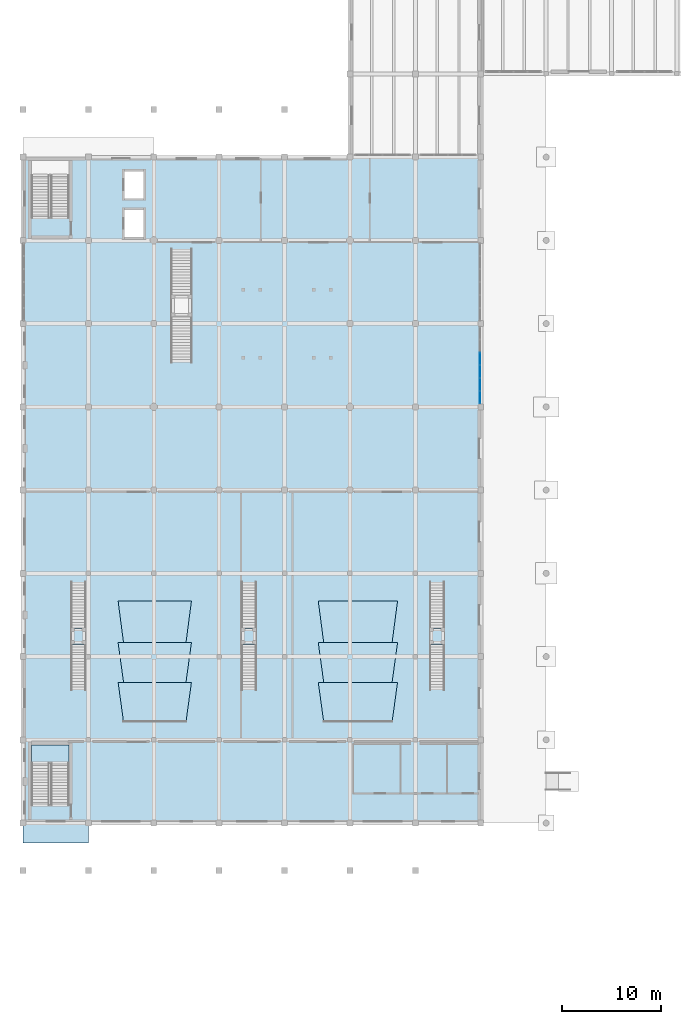
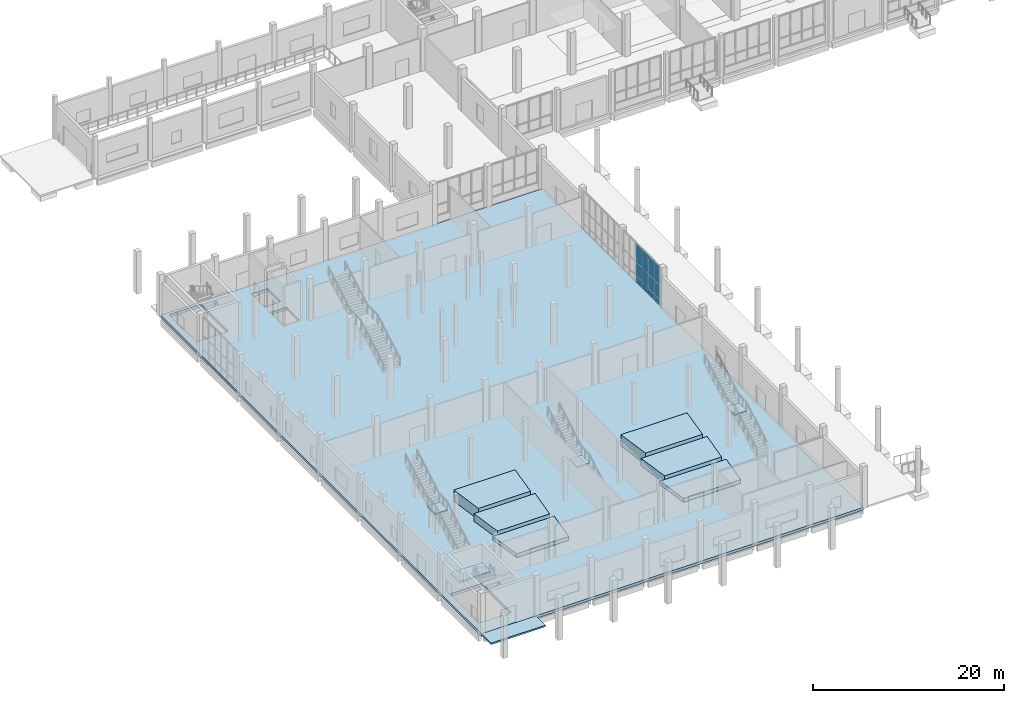
# One storey, part 28 of 64: 12 plates, 12 slabs, 5 elements without a shape of their own.
"""IFC4 building model written with IfcOpenShell, lengths in metres."""

from ifc_helpers import new_model, si_unit, direction, frame, origin, origin_2d, place, context, subcontext, project, spatial, polyline, rectangle, outline, extrude, material, layer, layer_set, type_object, element, aggregate, save


model = new_model("IFC4")

# Units and contexts
model_context = context("Model", 3, precision=1e-05, world=origin(), true_north=direction((0.0, 1.0)))
body_context = subcontext(model_context, "Body", "Model", "MODEL_VIEW")
ifc_project = project(units=[si_unit("LENGTHUNIT", "METRE"), si_unit("AREAUNIT", "SQUARE_METRE"), si_unit("VOLUMEUNIT", "CUBIC_METRE"), si_unit("PLANEANGLEUNIT", "RADIAN"), si_unit("MASSUNIT", "GRAM", prefix="KILO")], contexts=[model_context])

# Site, building, storey
site_placement = place(None, origin())
site = spatial("IfcSite", under=ifc_project, at=site_placement, CompositionType="ELEMENT")
building_placement = place(site_placement, origin())
building = spatial("IfcBuilding", under=site, at=building_placement, Name="Qaldarim Faculty of Natural and Applied Sciences", CompositionType="ELEMENT")
storey_placement = place(building_placement, origin())
storey = spatial("IfcBuildingStorey", under=building, at=storey_placement, Name="L00", CompositionType="ELEMENT", Elevation=0.0)

# Slabs
ifc_material_1 = material(Name="Concrete C40/50", Category="concrete")
ifc_layer_1 = layer(ifc_material_1, 0.199951171875)
ifc_layer_set_1 = layer_set([ifc_layer_1], Name="Concrete C40/50")
slab_type_1 = type_object("IfcSlabType", Name="ColonnadeDeckSlab-200", PredefinedType="FLOOR", material=ifc_layer_set_1)
slab_1_placement = place(storey_placement, frame((0.0, 0.0, -0.199951171875)))
element("IfcSlab", 1, at=slab_1_placement, inside=storey, type_object=slab_type_1, Name="South-west stair discharge apron L00", PredefinedType="FLOOR", context=body_context, shape_type="SweptSolid", body=[
    extrude(outline(polyline([(6.60009765625, 14.800048828125), (0.0, 14.800048828125), (0.0, 16.800048828125), (6.60009765625, 16.800048828125), (6.60009765625, 14.800048828125)])), origin(), (0.0, 0.0, 1.0), 0.199951171875),
])
ifc_layer_2 = layer(ifc_material_1, 0.360107421875)
ifc_layer_set_2 = layer_set([ifc_layer_2], Name="Concrete C40/50")
slab_type_2 = type_object("IfcSlabType", Name="GroundFloorSlab-360", PredefinedType="FLOOR", material=ifc_layer_set_2)
slab_2_placement = place(storey_placement, frame((0.0, 0.0, -0.360107421875)))
element("IfcSlab", 2, at=slab_2_placement, inside=storey, type_object=slab_type_2, Name="Floor slab L00 WEST", PredefinedType="FLOOR", context=body_context, shape_type="SweptSolid", body=[
    extrude(outline(polyline([(0.0, 16.800048828125), (0.0, 84.0), (46.199951171875, 84.0), (46.199951171875, 16.800048828125), (0.0, 16.800048828125)]), holes=[polyline([(4.64990234375, 18.614990234375), (4.64990234375, 24.72509765625), (0.85009765625, 24.72509765625), (0.85009765625, 18.614990234375), (4.64990234375, 18.614990234375)]), polyline([(4.64990234375, 77.9150390625), (4.64990234375, 83.6201171875), (0.85009765625, 83.6201171875), (0.85009765625, 77.9150390625), (4.64990234375, 77.9150390625)]), polyline([(10.25, 75.949951171875), (12.14990234375, 75.949951171875), (12.14990234375, 78.64990234375), (10.25, 78.64990234375), (10.25, 75.949951171875)]), polyline([(10.25, 79.85009765625), (12.14990234375, 79.85009765625), (12.14990234375, 82.550048828125), (10.25, 82.550048828125), (10.25, 79.85009765625)])]), origin(), (0.0, 0.0, 1.0), 0.360107421875),
])
ifc_layer_3 = layer(ifc_material_1, 0.239990234375)
ifc_layer_set_3 = layer_set([ifc_layer_3], Name="Concrete C40/50")
slab_type_3 = type_object("IfcSlabType", Name="LectureSeatingTier-240", PredefinedType="USERDEFINED", material=ifc_layer_set_3)
slab_3_placement = place(storey_placement, origin())
element("IfcSlab", 3, at=slab_3_placement, inside=storey, type_object=slab_type_3, Name="Stand lecture theatre 1 lower seating tier 1 vomitory platform", ObjectType="SEATING TIER", PredefinedType="USERDEFINED", context=body_context, shape_type="SweptSolid", body=[
    extrude(outline(polyline([(10.14990234375, 27.0), (16.449951171875, 27.0), (17.0, 31.0), (9.60009765625, 31.0), (10.14990234375, 27.0)])), origin(), (0.0, 0.0, 1.0), 0.47998046875),
])
slab_4_placement = place(storey_placement, origin())
element("IfcSlab", 4, at=slab_4_placement, inside=storey, type_object=slab_type_3, Name="Stand lecture theatre 1 lower seating tier 2 vomitory platform", ObjectType="SEATING TIER", PredefinedType="USERDEFINED", context=body_context, shape_type="SweptSolid", body=[
    extrude(outline(polyline([(10.14990234375, 31.0), (16.449951171875, 31.0), (17.0, 35.0), (9.60009765625, 35.0), (10.14990234375, 31.0)])), origin(), (0.0, 0.0, 1.0), 0.9599609375),
])
slab_5_placement = place(storey_placement, origin())
element("IfcSlab", 5, at=slab_5_placement, inside=storey, type_object=slab_type_3, Name="Stand lecture theatre 1 lower seating tier 3 vomitory platform", ObjectType="SEATING TIER", PredefinedType="USERDEFINED", context=body_context, shape_type="SweptSolid", body=[
    extrude(outline(polyline([(10.14990234375, 35.0), (16.449951171875, 35.0), (17.0, 39.199951171875), (9.60009765625, 39.199951171875), (10.14990234375, 35.0)])), origin(), (0.0, 0.0, 1.0), 1.43994140625),
])
slab_6_placement = place(storey_placement, origin())
element("IfcSlab", 6, at=slab_6_placement, inside=storey, type_object=slab_type_3, Name="Stand lecture theatre 2 lower seating tier 1 vomitory platform", ObjectType="SEATING TIER", PredefinedType="USERDEFINED", context=body_context, shape_type="SweptSolid", body=[
    extrude(outline(polyline([(30.35009765625, 27.0), (37.25, 27.0), (37.800048828125, 31.0), (29.800048828125, 31.0), (30.35009765625, 27.0)])), origin(), (0.0, 0.0, 1.0), 0.47998046875),
])
slab_7_placement = place(storey_placement, origin())
element("IfcSlab", 7, at=slab_7_placement, inside=storey, type_object=slab_type_3, Name="Stand lecture theatre 2 lower seating tier 2 vomitory platform", ObjectType="SEATING TIER", PredefinedType="USERDEFINED", context=body_context, shape_type="SweptSolid", body=[
    extrude(outline(polyline([(30.35009765625, 31.0), (37.25, 31.0), (37.800048828125, 35.0), (29.800048828125, 35.0), (30.35009765625, 31.0)])), origin(), (0.0, 0.0, 1.0), 0.9599609375),
])
slab_8_placement = place(storey_placement, origin())
element("IfcSlab", 8, at=slab_8_placement, inside=storey, type_object=slab_type_3, Name="Stand lecture theatre 2 lower seating tier 3 vomitory platform", ObjectType="SEATING TIER", PredefinedType="USERDEFINED", context=body_context, shape_type="SweptSolid", body=[
    extrude(outline(polyline([(30.35009765625, 35.0), (37.25, 35.0), (37.800048828125, 39.199951171875), (29.800048828125, 39.199951171875), (30.35009765625, 35.0)])), origin(), (0.0, 0.0, 1.0), 1.43994140625),
])

# Stair, slab
stair_type_1 = type_object("IfcStairType", Name="DoglegStair-W1800-H5400-32R", PredefinedType="HALF_TURN_STAIR", material=ifc_material_1)
stair_1_placement = place(storey_placement, origin())
stair_1 = element("IfcStair", 9, at=stair_1_placement, inside=storey, type_object=stair_type_1, Name="Enclosed exit stair ST-D1 L00", PredefinedType="HALF_TURN_STAIR")
ifc_layer_4 = layer(ifc_material_1, 0.2099609375)
ifc_layer_set_4 = layer_set([ifc_layer_4], Name="Concrete C40/50")
slab_type_4 = type_object("IfcSlabType", Name="StairLandingSlab-210", PredefinedType="LANDING", material=ifc_layer_set_4)
slab_9_placement = place(storey_placement, frame((0.0, 0.0, 2.489990234375)))
slab_9 = element("IfcSlab", 10, at=slab_9_placement, type_object=slab_type_4, Name="ST-D1 L00 half-landing 1", PredefinedType="LANDING", context=body_context, shape_type="SweptSolid", body=[
    extrude(outline(polyline([(4.64990234375, 22.860107421875), (4.64990234375, 24.699951171875), (0.85009765625, 24.699951171875), (0.85009765625, 22.860107421875), (4.64990234375, 22.860107421875)])), origin(), (0.0, 0.0, 1.0), 0.2099609375),
])
aggregate(stair_1, [slab_9])

stair_type_2 = type_object("IfcStairType", Name="FeatureStraightStair-W1500-H5400", PredefinedType="STRAIGHT_RUN_STAIR", material=ifc_material_1)
stair_2_placement = place(storey_placement, origin())
stair_2 = element("IfcStair", 11, at=stair_2_placement, inside=storey, type_object=stair_type_2, Name="Lecture theatre vomitory stair 1", PredefinedType="STRAIGHT_RUN_STAIR")
slab_10_placement = place(storey_placement, frame((0.0, 0.0, 2.489990234375)))
slab_10 = element("IfcSlab", 12, at=slab_10_placement, type_object=slab_type_4, Name="Lecture theatre vomitory stair 1 intermediate landing", PredefinedType="LANDING", context=body_context, shape_type="SweptSolid", body=[
    extrude(outline(polyline([(22.050048828125, 34.840087890625), (23.550048828125, 34.840087890625), (23.550048828125, 36.489990234375), (22.050048828125, 36.489990234375), (22.050048828125, 34.840087890625)])), origin(), (0.0, 0.0, 1.0), 0.2099609375),
])
aggregate(stair_2, [slab_10])

stair_3_placement = place(storey_placement, origin())
stair_3 = element("IfcStair", 13, at=stair_3_placement, inside=storey, type_object=stair_type_2, Name="Lecture theatre vomitory stair 2", PredefinedType="STRAIGHT_RUN_STAIR")
slab_11_placement = place(storey_placement, frame((0.0, 0.0, 2.489990234375)))
slab_11 = element("IfcSlab", 14, at=slab_11_placement, type_object=slab_type_4, Name="Lecture theatre vomitory stair 2 intermediate landing", PredefinedType="LANDING", context=body_context, shape_type="SweptSolid", body=[
    extrude(outline(polyline([(41.050048828125, 34.840087890625), (42.550048828125, 34.840087890625), (42.550048828125, 36.489990234375), (41.050048828125, 36.489990234375), (41.050048828125, 34.840087890625)])), origin(), (0.0, 0.0, 1.0), 0.2099609375),
])
aggregate(stair_3, [slab_11])

stair_4_placement = place(storey_placement, origin())
stair_4 = element("IfcStair", 15, at=stair_4_placement, inside=storey, type_object=stair_type_2, Name="Lecture theatre vomitory stair 3", PredefinedType="STRAIGHT_RUN_STAIR")
slab_12_placement = place(storey_placement, frame((0.0, 0.0, 2.489990234375)))
slab_12 = element("IfcSlab", 16, at=slab_12_placement, type_object=slab_type_4, Name="Lecture theatre vomitory stair 3 intermediate landing", PredefinedType="LANDING", context=body_context, shape_type="SweptSolid", body=[
    extrude(outline(polyline([(4.85009765625, 34.840087890625), (6.35009765625, 34.840087890625), (6.35009765625, 36.489990234375), (4.85009765625, 36.489990234375), (4.85009765625, 34.840087890625)])), origin(), (0.0, 0.0, 1.0), 0.2099609375),
])
aggregate(stair_4, [slab_12])

# Curtain wall, plates
ifc_material_2 = material(Name="Anodised aluminium AW-6063", Category="aluminium")
curtain_wall_type = type_object("IfcCurtainWallType", Name="CurtainWallSystem-M1300", PredefinedType="USERDEFINED", material=ifc_material_2)
curtain_wall_placement = place(storey_placement, origin())
curtain_wall = element("IfcCurtainWall", 17, at=curtain_wall_placement, inside=storey, type_object=curtain_wall_type, Name="Curtain wall CW-L00-E-X07Y08", ObjectType="STICK CURTAIN WALL", PredefinedType="USERDEFINED")
ifc_material_3 = material(Name="Insulated low-e double glazing", Category="glass")
ifc_layer_5 = layer(ifc_material_3, 0.028076171875)
ifc_layer_set_5 = layer_set([ifc_layer_5], Name="Insulated low-e double glazing")
plate_type = type_object("IfcPlateType", Name="VisionGlazingPanel-28", PredefinedType="CURTAIN_PANEL", material=ifc_layer_set_5)
plate_1_placement = place(storey_placement, frame((46.1201171875, 59.7607421875, 0.06005859375), z_axis=(0.0, 0.0, 1.0), x_axis=(0.0, 1.0, 0.0)))
plate_1 = element("IfcPlate", 18, at=plate_1_placement, type_object=plate_type, Name="Glazed panel 1-1 of CW-L00-E-X07Y08", PredefinedType="CURTAIN_PANEL", context=body_context, shape_type="SweptSolid", body=[
    extrude(rectangle(XDim=1.211669921875, YDim=0.028076171875, at=origin_2d()), origin(), (0.0, 0.0, 1.0), 0.81005859375),
])
plate_2_placement = place(storey_placement, frame((46.1201171875, 59.7607421875, 0.93017578125), z_axis=(0.0, 0.0, 1.0), x_axis=(0.0, 1.0, 0.0)))
plate_2 = element("IfcPlate", 19, at=plate_2_placement, type_object=plate_type, Name="Glazed panel 1-2 of CW-L00-E-X07Y08", PredefinedType="CURTAIN_PANEL", context=body_context, shape_type="SweptSolid", body=[
    extrude(rectangle(XDim=1.211669921875, YDim=0.028076171875, at=origin_2d()), origin(), (0.0, 0.0, 1.0), 1.739990234375),
])
plate_3_placement = place(storey_placement, frame((46.1201171875, 59.7607421875, 2.72998046875), z_axis=(0.0, 0.0, 1.0), x_axis=(0.0, 1.0, 0.0)))
plate_3 = element("IfcPlate", 20, at=plate_3_placement, type_object=plate_type, Name="Glazed panel 1-3 of CW-L00-E-X07Y08", PredefinedType="CURTAIN_PANEL", context=body_context, shape_type="SweptSolid", body=[
    extrude(rectangle(XDim=1.211669921875, YDim=0.028076171875, at=origin_2d()), origin(), (0.0, 0.0, 1.0), 2.31005859375),
])
plate_4_placement = place(storey_placement, frame((46.1201171875, 61.047607421875, 0.06005859375), z_axis=(0.0, 0.0, 1.0), x_axis=(0.0, 1.0, 0.0)))
plate_4 = element("IfcPlate", 21, at=plate_4_placement, type_object=plate_type, Name="Glazed panel 2-1 of CW-L00-E-X07Y08", PredefinedType="CURTAIN_PANEL", context=body_context, shape_type="SweptSolid", body=[
    extrude(rectangle(XDim=1.24169921875, YDim=0.028076171875, at=origin_2d()), origin(), (0.0, 0.0, 1.0), 0.81005859375),
])
plate_5_placement = place(storey_placement, frame((46.1201171875, 61.047607421875, 0.93017578125), z_axis=(0.0, 0.0, 1.0), x_axis=(0.0, 1.0, 0.0)))
plate_5 = element("IfcPlate", 22, at=plate_5_placement, type_object=plate_type, Name="Glazed panel 2-2 of CW-L00-E-X07Y08", PredefinedType="CURTAIN_PANEL", context=body_context, shape_type="SweptSolid", body=[
    extrude(rectangle(XDim=1.24169921875, YDim=0.028076171875, at=origin_2d()), origin(), (0.0, 0.0, 1.0), 1.739990234375),
])
plate_6_placement = place(storey_placement, frame((46.1201171875, 61.047607421875, 2.72998046875), z_axis=(0.0, 0.0, 1.0), x_axis=(0.0, 1.0, 0.0)))
plate_6 = element("IfcPlate", 23, at=plate_6_placement, type_object=plate_type, Name="Glazed panel 2-3 of CW-L00-E-X07Y08", PredefinedType="CURTAIN_PANEL", context=body_context, shape_type="SweptSolid", body=[
    extrude(rectangle(XDim=1.24169921875, YDim=0.028076171875, at=origin_2d()), origin(), (0.0, 0.0, 1.0), 2.31005859375),
])
plate_7_placement = place(storey_placement, frame((46.1201171875, 62.34912109375, 0.06005859375), z_axis=(0.0, 0.0, 1.0), x_axis=(0.0, 1.0, 0.0)))
plate_7 = element("IfcPlate", 24, at=plate_7_placement, type_object=plate_type, Name="Glazed panel 3-1 of CW-L00-E-X07Y08", PredefinedType="CURTAIN_PANEL", context=body_context, shape_type="SweptSolid", body=[
    extrude(rectangle(XDim=1.24169921875, YDim=0.028076171875, at=origin_2d()), origin(), (0.0, 0.0, 1.0), 0.81005859375),
])
plate_8_placement = place(storey_placement, frame((46.1201171875, 62.34912109375, 0.93017578125), z_axis=(0.0, 0.0, 1.0), x_axis=(0.0, 1.0, 0.0)))
plate_8 = element("IfcPlate", 25, at=plate_8_placement, type_object=plate_type, Name="Glazed panel 3-2 of CW-L00-E-X07Y08", PredefinedType="CURTAIN_PANEL", context=body_context, shape_type="SweptSolid", body=[
    extrude(rectangle(XDim=1.24169921875, YDim=0.028076171875, at=origin_2d()), origin(), (0.0, 0.0, 1.0), 1.739990234375),
])
plate_9_placement = place(storey_placement, frame((46.1201171875, 62.34912109375, 2.72998046875), z_axis=(0.0, 0.0, 1.0), x_axis=(0.0, 1.0, 0.0)))
plate_9 = element("IfcPlate", 26, at=plate_9_placement, type_object=plate_type, Name="Glazed panel 3-3 of CW-L00-E-X07Y08", PredefinedType="CURTAIN_PANEL", context=body_context, shape_type="SweptSolid", body=[
    extrude(rectangle(XDim=1.24169921875, YDim=0.028076171875, at=origin_2d()), origin(), (0.0, 0.0, 1.0), 2.31005859375),
])
plate_10_placement = place(storey_placement, frame((46.1201171875, 63.65087890625, 0.06005859375), z_axis=(0.0, 0.0, 1.0), x_axis=(0.0, 1.0, 0.0)))
plate_10 = element("IfcPlate", 27, at=plate_10_placement, type_object=plate_type, Name="Glazed panel 4-1 of CW-L00-E-X07Y08", PredefinedType="CURTAIN_PANEL", context=body_context, shape_type="SweptSolid", body=[
    extrude(rectangle(XDim=1.24169921875, YDim=0.028076171875, at=origin_2d()), origin(), (0.0, 0.0, 1.0), 0.81005859375),
])
plate_11_placement = place(storey_placement, frame((46.1201171875, 63.65087890625, 0.93017578125), z_axis=(0.0, 0.0, 1.0), x_axis=(0.0, 1.0, 0.0)))
plate_11 = element("IfcPlate", 28, at=plate_11_placement, type_object=plate_type, Name="Glazed panel 4-2 of CW-L00-E-X07Y08", PredefinedType="CURTAIN_PANEL", context=body_context, shape_type="SweptSolid", body=[
    extrude(rectangle(XDim=1.24169921875, YDim=0.028076171875, at=origin_2d()), origin(), (0.0, 0.0, 1.0), 1.739990234375),
])
plate_12_placement = place(storey_placement, frame((46.1201171875, 63.65087890625, 2.72998046875), z_axis=(0.0, 0.0, 1.0), x_axis=(0.0, 1.0, 0.0)))
plate_12 = element("IfcPlate", 29, at=plate_12_placement, type_object=plate_type, Name="Glazed panel 4-3 of CW-L00-E-X07Y08", PredefinedType="CURTAIN_PANEL", context=body_context, shape_type="SweptSolid", body=[
    extrude(rectangle(XDim=1.24169921875, YDim=0.028076171875, at=origin_2d()), origin(), (0.0, 0.0, 1.0), 2.31005859375),
])
aggregate(curtain_wall, [plate_1, plate_2, plate_3, plate_4, plate_5, plate_6, plate_7, plate_8, plate_9, plate_10, plate_11, plate_12])

save(model, "model.ifc")
